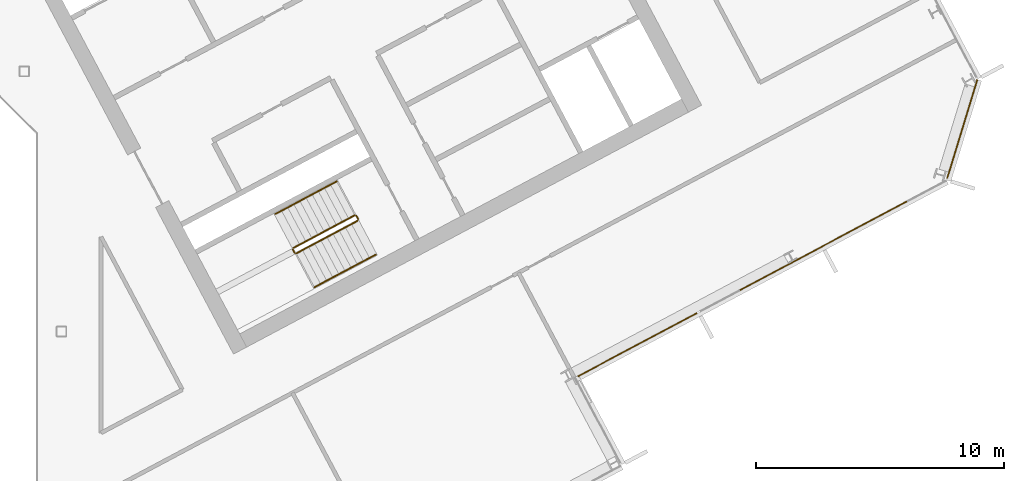
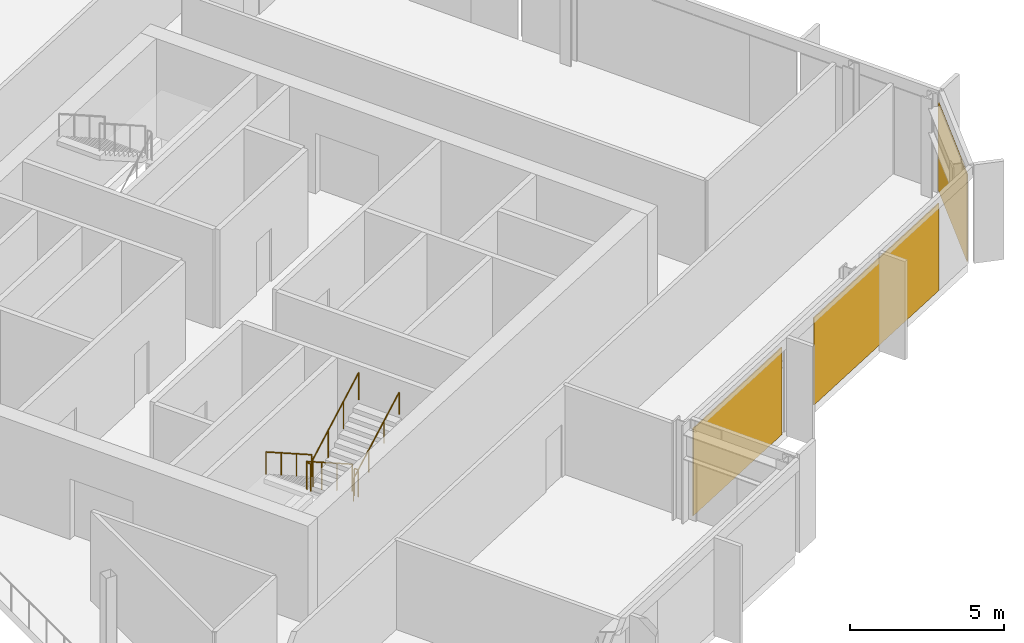
# One storey, part 25 of 27: 6 railings, 3 coverings, 2 elements without a shape of their own.
"""IFC4 building model written with IfcOpenShell, lengths in metres."""

from ifc_helpers import new_model, si_unit, direction, frame, origin, origin_2d, place, context, subcontext, project, spatial, polyline, rectangle, outline, extrude, material, layer, layer_set, type_object, element, aggregate, save


model = new_model("IFC4")

# Units and contexts
model_context = context("Model", 3, precision=1e-05, world=origin(), true_north=direction((0.0, 1.0)))
body_context = subcontext(model_context, "Body", "Model", "MODEL_VIEW")
ifc_project = project(units=[si_unit("LENGTHUNIT", "METRE"), si_unit("AREAUNIT", "SQUARE_METRE"), si_unit("VOLUMEUNIT", "CUBIC_METRE"), si_unit("PLANEANGLEUNIT", "RADIAN"), si_unit("MASSUNIT", "GRAM", prefix="KILO")], contexts=[model_context])

# Site, building, storey
site_placement = place(None, origin())
site = spatial("IfcSite", under=ifc_project, at=site_placement, CompositionType="ELEMENT")
building_placement = place(site_placement, origin())
building = spatial("IfcBuilding", under=site, at=building_placement, Name="Cormorant Relay Tower", CompositionType="ELEMENT")
storey_placement = place(building_placement, frame((0.0, 0.0, 232.5)))
storey = spatial("IfcBuildingStorey", under=building, at=storey_placement, Name="L51", CompositionType="ELEMENT", Elevation=232.5)

# Curtain wall, coverings
ifc_material_1 = material(Name="Aluminium 6063-T6 anodised bronze", Category="aluminium")
ifc_layer_1 = layer(ifc_material_1, 0.199951171875)
ifc_layer_set_1 = layer_set([ifc_layer_1], Name="CW1 unitised bronze curtain wall with vertical fins")
curtain_wall_type = type_object("IfcCurtainWallType", Name="CW1 unitised bronze curtain wall with vertical fins", PredefinedType="NOTDEFINED", material=ifc_layer_set_1)
curtain_wall_1_placement = place(storey_placement, origin())
curtain_wall_1 = element("IfcCurtainWall", 1, at=curtain_wall_1_placement, inside=storey, type_object=curtain_wall_type, Name="CW1 curtain wall 4", PredefinedType="NOTDEFINED")
ifc_material_2 = material(Name="Pale bronze anodised aluminium insulated panel", Category="aluminium")
ifc_layer_2 = layer(ifc_material_2, 0.0400390625)
ifc_layer_set_2 = layer_set([ifc_layer_2], Name="CW1 pale bronze insulated panel 40")
covering_type = type_object("IfcCoveringType", Name="CW1 pale bronze insulated panel 40", PredefinedType="CLADDING", material=ifc_layer_set_2)
covering_1_placement = place(storey_placement, frame((35.247802734375, -0.534912109375, 0.0), z_axis=(0.0, 0.0, 1.0), x_axis=(0.882947592859, 0.469471562786, 0.0)))
covering_1 = element("IfcCovering", 2, at=covering_1_placement, type_object=covering_type, Name="CW1 panel S00", PredefinedType="CLADDING", context=body_context, shape_type="SweptSolid", body=[
    extrude(rectangle(XDim=5.441650390625, YDim=0.0400390625, at=origin_2d()), origin(), (0.0, 0.0, 1.0), 3.449951171875),
])
covering_2_placement = place(storey_placement, frame((42.752685546875, 3.455810546875, 0.0), z_axis=(0.0, 0.0, 1.0), x_axis=(0.882947592859, 0.469471562786, 0.0)))
covering_2 = element("IfcCovering", 3, at=covering_2_placement, type_object=covering_type, Name="CW1 panel S02", PredefinedType="CLADDING", context=body_context, shape_type="SweptSolid", body=[
    extrude(rectangle(XDim=7.658203125, YDim=0.0400390625, at=origin_2d()), origin(), (0.0, 0.0, 1.0), 3.449951171875),
])
aggregate(curtain_wall_1, [covering_1, covering_2])

# Curtain wall, covering
curtain_wall_2_placement = place(storey_placement, origin())
curtain_wall_2 = element("IfcCurtainWall", 4, at=curtain_wall_2_placement, inside=storey, type_object=curtain_wall_type, Name="CW1 curtain wall 5", PredefinedType="NOTDEFINED")
covering_3_placement = place(storey_placement, frame((48.364013671875, 8.1748046875, 0.0), z_axis=(0.0, 0.0, 1.0), x_axis=(0.292371704723, 0.956304755963, 0.0)))
covering_3 = element("IfcCovering", 5, at=covering_3_placement, type_object=covering_type, Name="CW1 panel S00", PredefinedType="CLADDING", context=body_context, shape_type="SweptSolid", body=[
    extrude(rectangle(XDim=4.16748046875, YDim=0.0400390625, at=origin_2d()), origin(), (0.0, 0.0, 1.0), 3.449951171875),
])
aggregate(curtain_wall_2, [covering_3])

# Railings
ifc_material_3 = material(Name="Steel ASTM A572 Grade 50 (Fy 345 MPa)", Category="steel")
railing_type_1 = type_object("IfcRailingType", Name="Stair guard 1100", PredefinedType="GUARDRAIL", material=ifc_material_3)
railing_1_placement = place(storey_placement, frame((23.83837890625, 4.6904296875, 0.17724609375)))
element("IfcRailing", 6, at=railing_1_placement, inside=storey, type_object=railing_type_1, Name="L51 B1 stair guard 1", PredefinedType="GUARDRAIL", context=body_context, shape_type="SweptSolid", body=[
    extrude(outline(polyline([(0.022216796875, 0.00927734375), (0.00927734375, 0.022216796875), (-0.00927734375, 0.022216796875), (-0.022216796875, 0.00927734375), (-0.022216796875, -0.00927734375), (-0.00927734375, -0.022216796875), (0.00927734375, -0.022216796875), (0.022216796875, -0.00927734375), (0.022216796875, 0.00927734375)])), frame((0.0, 0.0, 1.076171875), z_axis=(-0.746033882577, -0.396627473466, 0.534901947407), x_axis=(0.469429322983, -0.882970050864, 0.0)), (0.0, 0.0, 1.0), 3.31396484375),
    extrude(outline(polyline([(0.019287109375, 0.008056640625), (0.008056640625, 0.019287109375), (-0.008056640625, 0.019287109375), (-0.019287109375, 0.008056640625), (-0.019287109375, -0.008056640625), (-0.008056640625, -0.019287109375), (0.008056640625, -0.019287109375), (0.019287109375, -0.008056640625), (0.019287109375, 0.008056640625)])), origin(), (0.0, 0.0, 1.0), 1.052001953125),
    extrude(outline(polyline([(0.019287109375, 0.008056640625), (0.008056640625, 0.019287109375), (-0.008056640625, 0.019287109375), (-0.019287109375, 0.008056640625), (-0.019287109375, -0.008056640625), (-0.008056640625, -0.019287109375), (0.008056640625, -0.019287109375), (0.019287109375, -0.008056640625), (0.019287109375, 0.008056640625)])), frame((-0.82421875, -0.438232421875, 0.5908203125)), (0.0, 0.0, 1.0), 1.052001953125),
    extrude(outline(polyline([(0.019287109375, 0.008056640625), (0.008056640625, 0.019287109375), (-0.008056640625, 0.019287109375), (-0.019287109375, 0.008056640625), (-0.019287109375, -0.008056640625), (-0.008056640625, -0.019287109375), (0.008056640625, -0.019287109375), (0.019287109375, -0.008056640625), (0.019287109375, 0.008056640625)])), frame((-1.648193359375, -0.876220703125, 1.181884765625)), (0.0, 0.0, 1.0), 1.052001953125),
    extrude(outline(polyline([(0.019287109375, 0.008056640625), (0.008056640625, 0.019287109375), (-0.008056640625, 0.019287109375), (-0.019287109375, 0.008056640625), (-0.019287109375, -0.008056640625), (-0.008056640625, -0.019287109375), (0.008056640625, -0.019287109375), (0.019287109375, -0.008056640625), (0.019287109375, 0.008056640625)])), frame((-2.472412109375, -1.314453125, 1.772705078125)), (0.0, 0.0, 1.0), 1.052001953125),
])
railing_2_placement = place(storey_placement, frame((21.345458984375, 3.308349609375, 1.949951171875)))
element("IfcRailing", 7, at=railing_2_placement, inside=storey, type_object=railing_type_1, Name="L51 B1 stair guard 2", PredefinedType="GUARDRAIL", context=body_context, shape_type="SweptSolid", body=[
    extrude(outline(polyline([(0.022216796875, 0.00927734375), (0.00927734375, 0.022216796875), (-0.00927734375, 0.022216796875), (-0.022216796875, 0.00927734375), (-0.022216796875, -0.00927734375), (-0.00927734375, -0.022216796875), (0.00927734375, -0.022216796875), (0.022216796875, -0.00927734375), (0.022216796875, 0.00927734375)])), frame((0.0, 0.0, 1.076171875), z_axis=(0.46856034887, -0.8834314911, 0.0), x_axis=(0.8834314911, 0.46856034887, 0.0)), (0.0, 0.0, 1.0), 0.150146484375),
    extrude(outline(polyline([(0.019287109375, 0.008056640625), (0.008056640625, 0.019287109375), (-0.008056640625, 0.019287109375), (-0.019287109375, 0.008056640625), (-0.019287109375, -0.008056640625), (-0.008056640625, -0.019287109375), (0.008056640625, -0.019287109375), (0.019287109375, -0.008056640625), (0.019287109375, 0.008056640625)])), origin(), (0.0, 0.0, 1.0), 1.052001953125),
    extrude(outline(polyline([(0.019287109375, 0.008056640625), (0.008056640625, 0.019287109375), (-0.008056640625, 0.019287109375), (-0.019287109375, 0.008056640625), (-0.019287109375, -0.008056640625), (-0.008056640625, -0.019287109375), (0.008056640625, -0.019287109375), (0.019287109375, -0.008056640625), (0.019287109375, 0.008056640625)])), frame((0.0703125, -0.132568359375, 0.0)), (0.0, 0.0, 1.0), 1.052001953125),
])
railing_3_placement = place(storey_placement, frame((21.4833984375, 3.1552734375, 2.127197265625)))
element("IfcRailing", 8, at=railing_3_placement, inside=storey, type_object=railing_type_1, Name="L51 B1 stair guard 3", PredefinedType="GUARDRAIL", context=body_context, shape_type="SweptSolid", body=[
    extrude(outline(polyline([(0.022216796875, 0.00927734375), (0.00927734375, 0.022216796875), (-0.00927734375, 0.022216796875), (-0.022216796875, 0.00927734375), (-0.022216796875, -0.00927734375), (-0.00927734375, -0.022216796875), (0.00927734375, -0.022216796875), (0.022216796875, -0.00927734375), (0.022216796875, 0.00927734375)])), frame((0.0, 0.0, 1.076171875), z_axis=(0.746001213114, 0.396649272309, 0.534931345884), x_axis=(-0.469465464807, 0.882950835185, 0.0)), (0.0, 0.0, 1.0), 3.31396484375),
    extrude(outline(polyline([(0.019287109375, 0.008056640625), (0.008056640625, 0.019287109375), (-0.008056640625, 0.019287109375), (-0.019287109375, 0.008056640625), (-0.019287109375, -0.008056640625), (-0.008056640625, -0.019287109375), (0.008056640625, -0.019287109375), (0.019287109375, -0.008056640625), (0.019287109375, 0.008056640625)])), origin(), (0.0, 0.0, 1.0), 1.052001953125),
    extrude(outline(polyline([(0.019287109375, 0.008056640625), (0.008056640625, 0.019287109375), (-0.008056640625, 0.019287109375), (-0.019287109375, 0.008056640625), (-0.019287109375, -0.008056640625), (-0.008056640625, -0.019287109375), (0.008056640625, -0.019287109375), (0.019287109375, -0.008056640625), (0.019287109375, 0.008056640625)])), frame((0.823974609375, 0.438232421875, 0.5908203125)), (0.0, 0.0, 1.0), 1.052001953125),
    extrude(outline(polyline([(0.019287109375, 0.008056640625), (0.008056640625, 0.019287109375), (-0.008056640625, 0.019287109375), (-0.019287109375, 0.008056640625), (-0.019287109375, -0.008056640625), (-0.008056640625, -0.019287109375), (0.008056640625, -0.019287109375), (0.019287109375, -0.008056640625), (0.019287109375, 0.008056640625)])), frame((1.648193359375, 0.876220703125, 1.181884765625)), (0.0, 0.0, 1.0), 1.052001953125),
    extrude(outline(polyline([(0.019287109375, 0.008056640625), (0.008056640625, 0.019287109375), (-0.008056640625, 0.019287109375), (-0.019287109375, 0.008056640625), (-0.019287109375, -0.008056640625), (-0.008056640625, -0.019287109375), (0.008056640625, -0.019287109375), (0.019287109375, -0.008056640625), (0.019287109375, 0.008056640625)])), frame((2.47216796875, 1.314453125, 1.772705078125)), (0.0, 0.0, 1.0), 1.052001953125),
])
railing_4_placement = place(storey_placement, frame((23.906005859375, 4.669677734375, 0.0)))
element("IfcRailing", 9, at=railing_4_placement, inside=storey, type_object=railing_type_1, Name="L51 B1 stair guard 4", PredefinedType="GUARDRAIL", context=body_context, shape_type="SweptSolid", body=[
    extrude(outline(polyline([(0.022216796875, 0.00927734375), (0.00927734375, 0.022216796875), (-0.00927734375, 0.022216796875), (-0.022216796875, 0.00927734375), (-0.022216796875, -0.00927734375), (-0.00927734375, -0.022216796875), (0.00927734375, -0.022216796875), (0.022216796875, -0.00927734375), (0.022216796875, 0.00927734375)])), frame((0.0, 0.0, 1.076171875), z_axis=(0.469234640946, -0.883073525669, 0.0), x_axis=(0.883073525669, 0.469234640946, 0.0)), (0.0, 0.0, 1.0), 0.14990234375),
    extrude(outline(polyline([(0.019287109375, 0.008056640625), (0.008056640625, 0.019287109375), (-0.008056640625, 0.019287109375), (-0.019287109375, 0.008056640625), (-0.019287109375, -0.008056640625), (-0.008056640625, -0.019287109375), (0.008056640625, -0.019287109375), (0.019287109375, -0.008056640625), (0.019287109375, 0.008056640625)])), origin(), (0.0, 0.0, 1.0), 1.052001953125),
    extrude(outline(polyline([(0.019287109375, 0.008056640625), (0.008056640625, 0.019287109375), (-0.008056640625, 0.019287109375), (-0.019287109375, 0.008056640625), (-0.019287109375, -0.008056640625), (-0.008056640625, -0.019287109375), (0.008056640625, -0.019287109375), (0.019287109375, -0.008056640625), (0.019287109375, 0.008056640625)])), frame((0.0703125, -0.13232421875, 0.0)), (0.0, 0.0, 1.0), 1.052001953125),
])
ifc_material_4 = material(Name="Steel ASTM A572 Grade 50 (Fy 345 MPa)", Category="steel")
railing_type_2 = type_object("IfcRailingType", Name="Stair handrail 900", PredefinedType="HANDRAIL", material=ifc_material_4)
railing_5_placement = place(storey_placement, frame((23.110595703125, 6.05908203125, 0.17724609375)))
element("IfcRailing", 10, at=railing_5_placement, inside=storey, type_object=railing_type_2, Name="L51 B1 stair handrail 1", PredefinedType="HANDRAIL", context=body_context, shape_type="SweptSolid", body=[
    extrude(outline(polyline([(0.022216796875, 0.00927734375), (0.00927734375, 0.022216796875), (-0.00927734375, 0.022216796875), (-0.022216796875, 0.00927734375), (-0.022216796875, -0.00927734375), (-0.00927734375, -0.022216796875), (0.00927734375, -0.022216796875), (0.022216796875, -0.00927734375), (0.022216796875, 0.00927734375)])), frame((0.0, 0.0, 0.8759765625), z_axis=(-0.745979412481, -0.396711350603, 0.534915713414), x_axis=(0.469533439143, -0.882914689835, 0.0)), (0.0, 0.0, 1.0), 3.31396484375),
    extrude(outline(polyline([(0.019287109375, 0.008056640625), (0.008056640625, 0.019287109375), (-0.008056640625, 0.019287109375), (-0.019287109375, 0.008056640625), (-0.019287109375, -0.008056640625), (-0.008056640625, -0.019287109375), (0.008056640625, -0.019287109375), (0.019287109375, -0.008056640625), (0.019287109375, 0.008056640625)])), origin(), (0.0, 0.0, 1.0), 0.851806640625),
    extrude(outline(polyline([(0.019287109375, 0.008056640625), (0.008056640625, 0.019287109375), (-0.008056640625, 0.019287109375), (-0.019287109375, 0.008056640625), (-0.019287109375, -0.008056640625), (-0.008056640625, -0.019287109375), (0.008056640625, -0.019287109375), (0.019287109375, -0.008056640625), (0.019287109375, 0.008056640625)])), frame((-0.823974609375, -0.438232421875, 0.5908203125)), (0.0, 0.0, 1.0), 0.851806640625),
    extrude(outline(polyline([(0.019287109375, 0.008056640625), (0.008056640625, 0.019287109375), (-0.008056640625, 0.019287109375), (-0.019287109375, 0.008056640625), (-0.019287109375, -0.008056640625), (-0.008056640625, -0.019287109375), (0.008056640625, -0.019287109375), (0.019287109375, -0.008056640625), (0.019287109375, 0.008056640625)])), frame((-1.648193359375, -0.87646484375, 1.181884765625)), (0.0, 0.0, 1.0), 0.851806640625),
    extrude(outline(polyline([(0.019287109375, 0.008056640625), (0.008056640625, 0.019287109375), (-0.008056640625, 0.019287109375), (-0.019287109375, 0.008056640625), (-0.019287109375, -0.008056640625), (-0.008056640625, -0.019287109375), (0.008056640625, -0.019287109375), (0.019287109375, -0.008056640625), (0.019287109375, 0.008056640625)])), frame((-2.47216796875, -1.314697265625, 1.772705078125)), (0.0, 0.0, 1.0), 0.851806640625),
])
railing_6_placement = place(storey_placement, frame((22.211181640625, 1.78662109375, 2.127197265625)))
element("IfcRailing", 11, at=railing_6_placement, inside=storey, type_object=railing_type_2, Name="L51 B1 stair handrail 2", PredefinedType="HANDRAIL", context=body_context, shape_type="SweptSolid", body=[
    extrude(outline(polyline([(0.022216796875, 0.00927734375), (0.00927734375, 0.022216796875), (-0.00927734375, 0.022216796875), (-0.022216796875, 0.00927734375), (-0.022216796875, -0.00927734375), (-0.00927734375, -0.022216796875), (0.00927734375, -0.022216796875), (0.022216796875, -0.00927734375), (0.022216796875, 0.00927734375)])), frame((0.0, 0.0, 0.8759765625), z_axis=(0.746001213114, 0.396649272309, 0.534931345884), x_axis=(-0.469465464807, 0.882950835185, 0.0)), (0.0, 0.0, 1.0), 3.31396484375),
    extrude(outline(polyline([(0.019287109375, 0.008056640625), (0.008056640625, 0.019287109375), (-0.008056640625, 0.019287109375), (-0.019287109375, 0.008056640625), (-0.019287109375, -0.008056640625), (-0.008056640625, -0.019287109375), (0.008056640625, -0.019287109375), (0.019287109375, -0.008056640625), (0.019287109375, 0.008056640625)])), origin(), (0.0, 0.0, 1.0), 0.851806640625),
    extrude(outline(polyline([(0.019287109375, 0.008056640625), (0.008056640625, 0.019287109375), (-0.008056640625, 0.019287109375), (-0.019287109375, 0.008056640625), (-0.019287109375, -0.008056640625), (-0.008056640625, -0.019287109375), (0.008056640625, -0.019287109375), (0.019287109375, -0.008056640625), (0.019287109375, 0.008056640625)])), frame((0.823974609375, 0.438232421875, 0.5908203125)), (0.0, 0.0, 1.0), 0.851806640625),
    extrude(outline(polyline([(0.019287109375, 0.008056640625), (0.008056640625, 0.019287109375), (-0.008056640625, 0.019287109375), (-0.019287109375, 0.008056640625), (-0.019287109375, -0.008056640625), (-0.008056640625, -0.019287109375), (0.008056640625, -0.019287109375), (0.019287109375, -0.008056640625), (0.019287109375, 0.008056640625)])), frame((1.648193359375, 0.876220703125, 1.181884765625)), (0.0, 0.0, 1.0), 0.851806640625),
    extrude(outline(polyline([(0.019287109375, 0.008056640625), (0.008056640625, 0.019287109375), (-0.008056640625, 0.019287109375), (-0.019287109375, 0.008056640625), (-0.019287109375, -0.008056640625), (-0.008056640625, -0.019287109375), (0.008056640625, -0.019287109375), (0.019287109375, -0.008056640625), (0.019287109375, 0.008056640625)])), frame((2.47216796875, 1.314453125, 1.772705078125)), (0.0, 0.0, 1.0), 0.851806640625),
])

save(model, "model.ifc")
